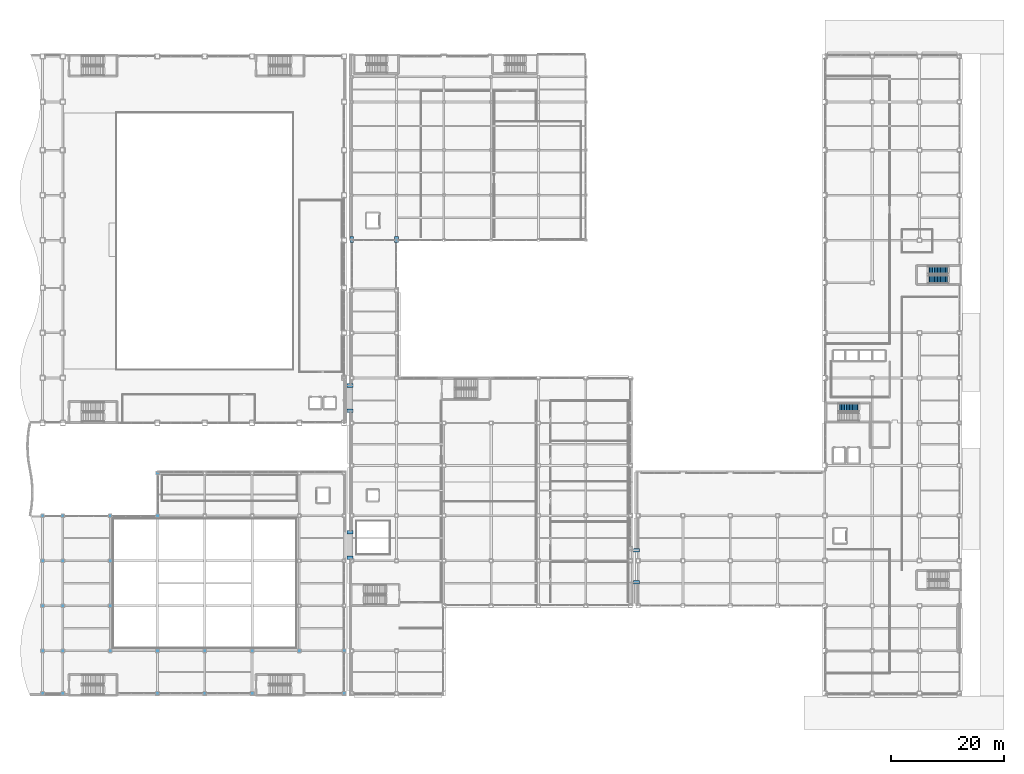
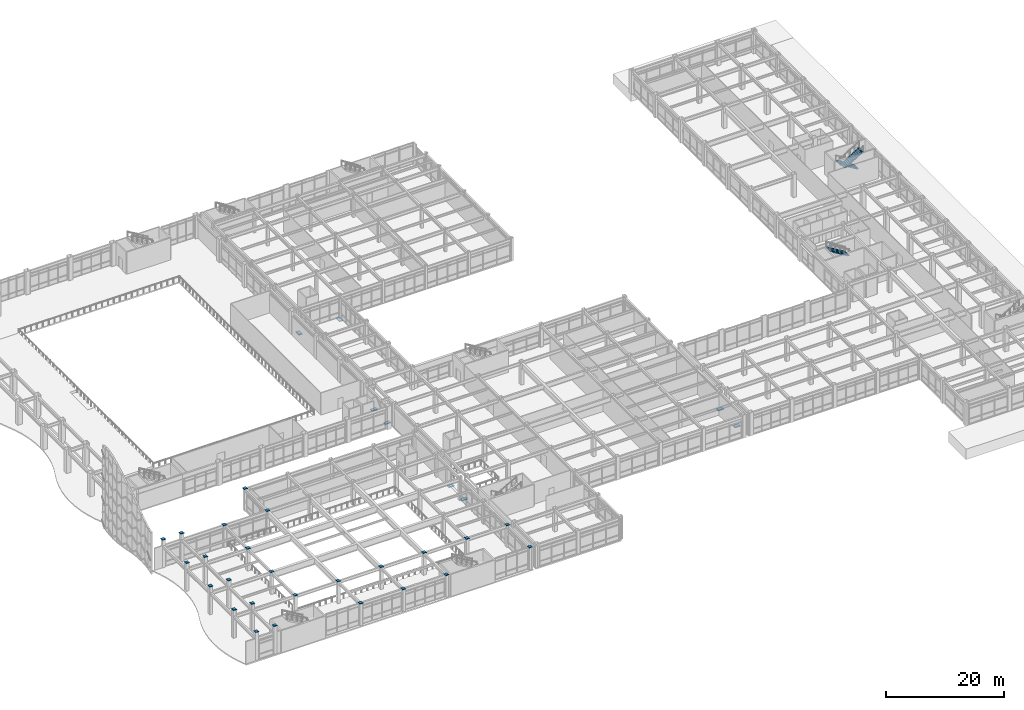
# One storey, part 150 of 172: 33 discrete accessories, 3 stair flights, 2 elements without a shape of their own.
"""IFC4 building model written with IfcOpenShell, lengths in metres."""

from ifc_helpers import new_model, si_unit, direction, frame, origin, origin_2d, place, context, subcontext, project, spatial, polyline, rectangle, outline, extrude, material, layer, layer_set, type_object, element, aggregate, save


model = new_model("IFC4")

# Units and contexts
model_context = context("Model", 3, precision=1e-05, world=origin(), true_north=direction((0.0, 1.0)))
body_context = subcontext(model_context, "Body", "Model", "MODEL_VIEW")
ifc_project = project(units=[si_unit("LENGTHUNIT", "METRE"), si_unit("AREAUNIT", "SQUARE_METRE"), si_unit("VOLUMEUNIT", "CUBIC_METRE"), si_unit("PLANEANGLEUNIT", "RADIAN"), si_unit("MASSUNIT", "GRAM", prefix="KILO")], contexts=[model_context])

# Site, building, storey
site_placement = place(None, origin())
site = spatial("IfcSite", under=ifc_project, at=site_placement, CompositionType="ELEMENT")
building_placement = place(site_placement, origin())
building = spatial("IfcBuilding", under=site, at=building_placement, Name="Kazehara Bluff Congress Hotel", CompositionType="ELEMENT")
storey_placement = place(building_placement, frame((0.0, 0.0, 5.39990234375)))
storey = spatial("IfcBuildingStorey", under=building, at=storey_placement, Name="L01", CompositionType="ELEMENT", Elevation=5.39990234375)

# Stair, stair flight
ifc_material_1 = material(Name="Concrete C36/45", Category="concrete")
stair_type = type_object("IfcStairType", Name="TP-ST-T04", PredefinedType="HALF_TURN_STAIR", material=ifc_material_1)
stair_1_placement = place(storey_placement, origin())
stair_1 = element("IfcStair", 1, at=stair_1_placement, inside=storey, type_object=stair_type, Name="L01 Escape stair ST-11", PredefinedType="HALF_TURN_STAIR")
ifc_material_2 = material(Name="Concrete C36/45", Category="concrete")
stair_flight_type = type_object("IfcStairFlightType", Name="TP-SF-T04", PredefinedType="STRAIGHT", material=ifc_material_2)
stair_flight_1_placement = place(storey_placement, frame((149.739990234375, 51.175048828125, 2.400146484375), z_axis=(0.0, 0.0, 1.0), x_axis=(-1.0, 0.0, 0.0)))
stair_flight_1 = element("IfcStairFlight", 2, at=stair_flight_1_placement, type_object=stair_flight_type, Name="ST-11 flight 2", NumberOfRisers=14, NumberOfTreads=13, PredefinedType="STRAIGHT", RiserHeight=0.171428571, TreadLength=0.28, context=body_context, shape_type="SweptSolid", body=[
    extrude(outline(polyline([(0.0, 0.0), (0.0, 0.17138671875), (0.280029296875, 0.17138671875), (0.280029296875, 0.3427734375), (0.56005859375, 0.3427734375), (0.56005859375, 0.514404296875), (0.840087890625, 0.514404296875), (0.840087890625, 0.685791015625), (1.1201171875, 0.685791015625), (1.1201171875, 0.857177734375), (1.39990234375, 0.857177734375), (1.39990234375, 1.028564453125), (1.679931640625, 1.028564453125), (1.679931640625, 1.199951171875), (1.9599609375, 1.199951171875), (1.9599609375, 1.371337890625), (2.239990234375, 1.371337890625), (2.239990234375, 1.54296875), (2.52001953125, 1.54296875), (2.52001953125, 1.71435546875), (2.800048828125, 1.71435546875), (2.800048828125, 1.8857421875), (3.080078125, 1.8857421875), (3.080078125, 2.05712890625), (3.360107421875, 2.05712890625), (3.360107421875, 2.228515625), (3.639892578125, 2.228515625), (3.639892578125, 2.39990234375), (3.639892578125, 2.041015625), (0.30615234375, 0.0), (0.0, 0.0)])), frame((0.0, 0.72509765625, 0.0), z_axis=(0.0, -1.0, 0.0), x_axis=(1.0, 0.0, 0.0)), (0.0, 0.0, 1.0), 1.449951171875),
])
aggregate(stair_1, [stair_flight_1])

# Stair, stair flights
stair_2_placement = place(storey_placement, origin())
stair_2 = element("IfcStair", 3, at=stair_2_placement, inside=storey, type_object=stair_type, Name="L01 Escape stair ST-12", PredefinedType="HALF_TURN_STAIR")
stair_flight_2_placement = place(storey_placement, frame((165.64990234375, 75.574951171875, 0.0), z_axis=(0.0, 0.0, 1.0), x_axis=(-1.0, 0.0, 0.0)))
stair_flight_2 = element("IfcStairFlight", 4, at=stair_flight_2_placement, type_object=stair_flight_type, Name="ST-12 flight 1", NumberOfRisers=14, NumberOfTreads=13, PredefinedType="STRAIGHT", RiserHeight=0.171428571, TreadLength=0.28, context=body_context, shape_type="SweptSolid", body=[
    extrude(outline(polyline([(0.0, 0.0), (0.0, 0.17138671875), (0.280029296875, 0.17138671875), (0.280029296875, 0.3427734375), (0.56005859375, 0.3427734375), (0.56005859375, 0.514404296875), (0.840087890625, 0.514404296875), (0.840087890625, 0.685791015625), (1.1201171875, 0.685791015625), (1.1201171875, 0.857177734375), (1.39990234375, 0.857177734375), (1.39990234375, 1.028564453125), (1.679931640625, 1.028564453125), (1.679931640625, 1.199951171875), (1.9599609375, 1.199951171875), (1.9599609375, 1.371337890625), (2.239990234375, 1.371337890625), (2.239990234375, 1.54296875), (2.52001953125, 1.54296875), (2.52001953125, 1.71435546875), (2.800048828125, 1.71435546875), (2.800048828125, 1.8857421875), (3.080078125, 1.8857421875), (3.080078125, 2.05712890625), (3.360107421875, 2.05712890625), (3.360107421875, 2.228515625), (3.639892578125, 2.228515625), (3.639892578125, 2.39990234375), (3.639892578125, 2.041015625), (0.30615234375, 0.0), (0.0, 0.0)])), frame((0.0, 0.72509765625, 0.0), z_axis=(0.0, -1.0, 0.0), x_axis=(1.0, 0.0, 0.0)), (0.0, 0.0, 1.0), 1.449951171875),
])
stair_flight_3_placement = place(storey_placement, frame((162.010009765625, 73.925048828125, 2.400146484375), z_axis=(0.0, 0.0, 1.0), x_axis=(1.0, 0.0, 0.0)))
stair_flight_3 = element("IfcStairFlight", 5, at=stair_flight_3_placement, type_object=stair_flight_type, Name="ST-12 flight 2", NumberOfRisers=14, NumberOfTreads=13, PredefinedType="STRAIGHT", RiserHeight=0.171428571, TreadLength=0.28, context=body_context, shape_type="SweptSolid", body=[
    extrude(outline(polyline([(0.0, 0.0), (0.0, 0.17138671875), (0.280029296875, 0.17138671875), (0.280029296875, 0.3427734375), (0.56005859375, 0.3427734375), (0.56005859375, 0.514404296875), (0.840087890625, 0.514404296875), (0.840087890625, 0.685791015625), (1.1201171875, 0.685791015625), (1.1201171875, 0.857177734375), (1.39990234375, 0.857177734375), (1.39990234375, 1.028564453125), (1.679931640625, 1.028564453125), (1.679931640625, 1.199951171875), (1.9599609375, 1.199951171875), (1.9599609375, 1.371337890625), (2.239990234375, 1.371337890625), (2.239990234375, 1.54296875), (2.52001953125, 1.54296875), (2.52001953125, 1.71435546875), (2.800048828125, 1.71435546875), (2.800048828125, 1.8857421875), (3.080078125, 1.8857421875), (3.080078125, 2.05712890625), (3.360107421875, 2.05712890625), (3.360107421875, 2.228515625), (3.639892578125, 2.228515625), (3.639892578125, 2.39990234375), (3.639892578125, 2.041015625), (0.30615234375, 0.0), (0.0, 0.0)])), frame((0.0, 0.72509765625, 0.0), z_axis=(0.0, -1.0, 0.0), x_axis=(1.0, 0.0, 0.0)), (0.0, 0.0, 1.0), 1.449951171875),
])
aggregate(stair_2, [stair_flight_2, stair_flight_3])

# Discrete accessories
ifc_material_3 = material(Name="Steel SN490B", Category="steel")
ifc_layer_1 = layer(ifc_material_3, 0.06005859375)
ifc_layer_set_1 = layer_set([ifc_layer_1], Name="Steel SN490B")
discrete_accessory_type_1 = type_object("IfcDiscreteAccessoryType", Name="TP-CAP-BLK", PredefinedType="BRACKET", material=ifc_layer_set_1)
for number, where, z_axis, x_axis, name in (
    (6, (4.800048828125, 0.449951171875, 5.760009765625), (0.0, 0.0, 1.0), (1.0, 0.0, 0.0), "Hollow column welded cap plate L01 570"),
    (7, (4.800048828125, 8.0, 5.760009765625), (0.0, 0.0, 1.0), (1.0, 0.0, 0.0), "Hollow column welded cap plate L01 571"),
    (8, (4.800048828125, 16.0, 5.760009765625), (0.0, 0.0, 1.0), (1.0, 0.0, 0.0), "Hollow column welded cap plate L01 572"),
    (9, (4.800048828125, 24.0, 5.760009765625), (0.0, 0.0, 1.0), (1.0, 0.0, 0.0), "Hollow column welded cap plate L01 573"),
    (10, (4.800048828125, 32.0, 5.760009765625), (0.0, 0.0, 1.0), (1.0, 0.0, 0.0), "Hollow column welded cap plate L01 574"),
    (11, (8.39990234375, 0.449951171875, 5.760009765625), (0.0, 0.0, 1.0), (1.0, 0.0, 0.0), "Hollow column welded cap plate L01 584"),
    (12, (8.39990234375, 8.0, 5.760009765625), (0.0, 0.0, 1.0), (1.0, 0.0, 0.0), "Hollow column welded cap plate L01 585"),
    (13, (8.39990234375, 16.0, 5.760009765625), (0.0, 0.0, 1.0), (1.0, 0.0, 0.0), "Hollow column welded cap plate L01 586"),
    (14, (8.39990234375, 24.0, 5.760009765625), (0.0, 0.0, 1.0), (1.0, 0.0, 0.0), "Hollow column welded cap plate L01 587"),
    (15, (8.39990234375, 32.0, 5.760009765625), (0.0, 0.0, 1.0), (1.0, 0.0, 0.0), "Hollow column welded cap plate L01 588"),
    (16, (16.800048828125, 8.0, 4.52001953125), (0.0, 0.0, 1.0), (1.0, 0.0, 0.0), "Hollow column welded cap plate L01 598"),
    (17, (16.800048828125, 16.0, 4.52001953125), (0.0, 0.0, 1.0), (1.0, 0.0, 0.0), "Hollow column welded cap plate L01 599"),
    (18, (16.800048828125, 24.0, 4.52001953125), (0.0, 0.0, 1.0), (1.0, 0.0, 0.0), "Hollow column welded cap plate L01 600"),
    (19, (16.800048828125, 32.0, 4.52001953125), (0.0, 0.0, 1.0), (1.0, 0.0, 0.0), "Hollow column welded cap plate L01 601"),
    (20, (25.199951171875, 0.449951171875, 4.52001953125), (0.0, 0.0, 1.0), (1.0, 0.0, 0.0), "Hollow column welded cap plate L01 602"),
    (21, (25.199951171875, 8.0, 4.52001953125), (0.0, 0.0, 1.0), (1.0, 0.0, 0.0), "Hollow column welded cap plate L01 603"),
    (22, (25.199951171875, 32.0, 4.52001953125), (0.0, 0.0, 1.0), (1.0, 0.0, 0.0), "Hollow column welded cap plate L01 604"),
    (23, (25.199951171875, 39.550048828125, 4.52001953125), (0.0, 0.0, 1.0), (1.0, 0.0, 0.0), "Hollow column welded cap plate L01 605"),
    (24, (33.60009765625, 0.449951171875, 4.52001953125), (0.0, 0.0, 1.0), (1.0, 0.0, 0.0), "Hollow column welded cap plate L01 608"),
    (25, (33.60009765625, 8.0, 4.52001953125), (0.0, 0.0, 1.0), (1.0, 0.0, 0.0), "Hollow column welded cap plate L01 609"),
    (26, (42.0, 0.449951171875, 4.52001953125), (0.0, 0.0, 1.0), (1.0, 0.0, 0.0), "Hollow column welded cap plate L01 614"),
    (27, (42.0, 8.0, 4.52001953125), (0.0, 0.0, 1.0), (1.0, 0.0, 0.0), "Hollow column welded cap plate L01 615"),
    (28, (50.39990234375, 8.0, 4.52001953125), (0.0, 0.0, 1.0), (1.0, 0.0, 0.0), "Hollow column welded cap plate L01 620"),
    (29, (58.35009765625, 0.449951171875, 4.52001953125), (0.0, 0.0, 1.0), (1.0, 0.0, 0.0), "Hollow column welded cap plate L01 626"),
    (30, (58.35009765625, 8.0, 4.52001953125), (0.0, 0.0, 1.0), (1.0, 0.0, 0.0), "Hollow column welded cap plate L01 627"),
):
    element("IfcDiscreteAccessory", number, at=place(storey_placement, frame(where, z_axis=z_axis, x_axis=x_axis)), inside=storey, type_object=discrete_accessory_type_1, Name=name, PredefinedType="BRACKET", context=body_context, shape_type="SweptSolid", body=[
        extrude(rectangle(XDim=0.639892578125, YDim=0.639892578125, at=origin_2d()), origin(), (0.0, 0.0, 1.0), 0.06005859375),
    ])
ifc_material_4 = material(Name="Steel SN490B", Category="steel")
ifc_layer_2 = layer(ifc_material_4, 0.179931640625)
ifc_layer_set_2 = layer_set([ifc_layer_2], Name="Steel SN490B")
discrete_accessory_type_2 = type_object("IfcDiscreteAccessoryType", Name="TP-SJ-BRG", PredefinedType="BRACKET", material=ifc_layer_set_2)
for number, where, z_axis, x_axis, name in (
    (31, (59.389892578125, 50.60009765625, -0.6796875), (0.0, 0.0, 1.0), (1.0, 0.0, 0.0), "PTFE sliding bearing SJ-BRG BRG-14 L01-1"),
    (32, (59.389892578125, 55.10009765625, -0.6796875), (0.0, 0.0, 1.0), (1.0, 0.0, 0.0), "PTFE sliding bearing SJ-BRG BRG-14 L01-2"),
    (33, (59.389892578125, 24.550048828125, -0.6796875), (0.0, 0.0, 1.0), (1.0, 0.0, 0.0), "PTFE sliding bearing SJ-BRG BRG-24 L01-1"),
    (34, (59.389892578125, 29.050048828125, -0.6796875), (0.0, 0.0, 1.0), (1.0, 0.0, 0.0), "PTFE sliding bearing SJ-BRG BRG-24 L01-2"),
):
    element("IfcDiscreteAccessory", number, at=place(storey_placement, frame(where, z_axis=z_axis, x_axis=x_axis)), inside=storey, type_object=discrete_accessory_type_2, Name=name, PredefinedType="BRACKET", context=body_context, shape_type="SweptSolid", body=[
        extrude(rectangle(XDim=1.10009765625, YDim=0.64990234375, at=origin_2d()), origin(), (0.0, 0.0, 1.0), 0.179931640625),
    ])
for number, where, z_axis, x_axis, name in (
    (35, (59.699951171875, 81.0400390625, -0.6796875), (0.0, 0.0, 1.0), (1.0, 0.0, 0.0), "PTFE sliding bearing SJ-BRG BRG-34 L01-1"),
    (36, (67.64990234375, 81.0400390625, -0.6796875), (0.0, 0.0, 1.0), (1.0, 0.0, 0.0), "PTFE sliding bearing SJ-BRG BRG-34 L01-2"),
):
    element("IfcDiscreteAccessory", number, at=place(storey_placement, frame(where, z_axis=z_axis, x_axis=x_axis)), inside=storey, type_object=discrete_accessory_type_2, Name=name, PredefinedType="BRACKET", context=body_context, shape_type="SweptSolid", body=[
        extrude(rectangle(XDim=0.64990234375, YDim=1.10009765625, at=origin_2d()), origin(), (0.0, 0.0, 1.0), 0.179931640625),
    ])
for number, where, z_axis, x_axis, name in (
    (37, (110.239990234375, 20.14990234375, -0.6796875), (0.0, 0.0, 1.0), (1.0, 0.0, 0.0), "PTFE sliding bearing SJ-BRG BRG-45 L01-1"),
    (38, (110.239990234375, 25.85009765625, -0.6796875), (0.0, 0.0, 1.0), (1.0, 0.0, 0.0), "PTFE sliding bearing SJ-BRG BRG-45 L01-2"),
):
    element("IfcDiscreteAccessory", number, at=place(storey_placement, frame(where, z_axis=z_axis, x_axis=x_axis)), inside=storey, type_object=discrete_accessory_type_2, Name=name, PredefinedType="BRACKET", context=body_context, shape_type="SweptSolid", body=[
        extrude(rectangle(XDim=1.10009765625, YDim=0.64990234375, at=origin_2d()), origin(), (0.0, 0.0, 1.0), 0.179931640625),
    ])

save(model, "model.ifc")
